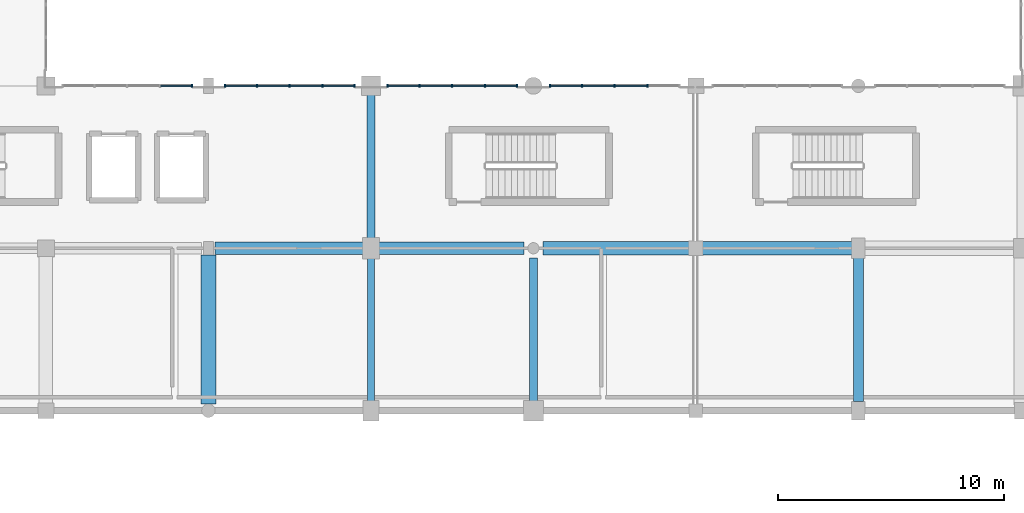
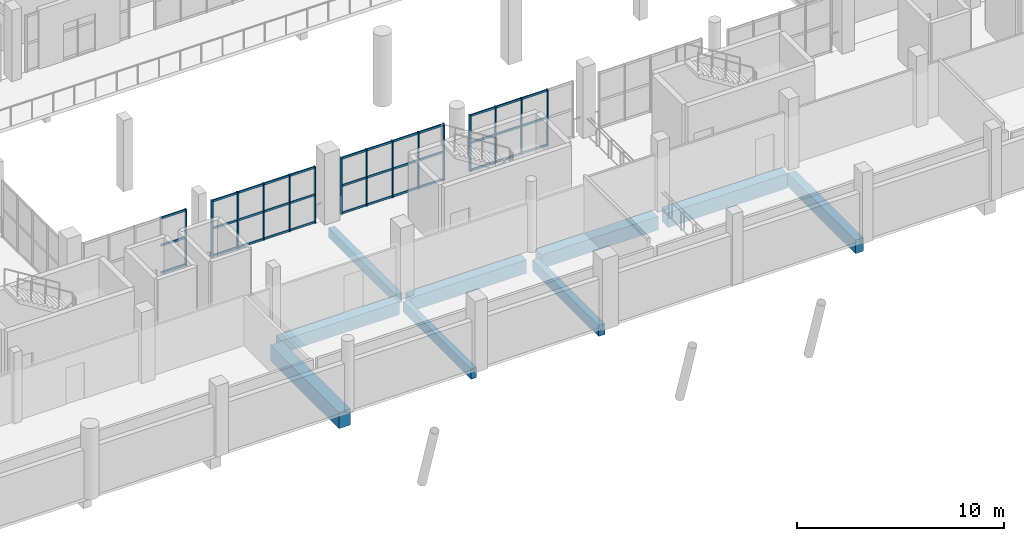
# One storey, part 24 of 92: 51 members, 9 beams, 4 elements without a shape of their own.
"""IFC4 building model written with IfcOpenShell, lengths in metres."""

from ifc_helpers import new_model, si_unit, direction, frame, origin, origin_2d, place, context, subcontext, project, spatial, rectangle, extrude, material, material_profile, profile_set, type_object, element, aggregate, save


model = new_model("IFC4")

# Units and contexts
model_context = context("Model", 3, precision=1e-05, world=origin(), true_north=direction((0.0, 1.0)))
body_context = subcontext(model_context, "Body", "Model", "MODEL_VIEW")
ifc_project = project(units=[si_unit("LENGTHUNIT", "METRE"), si_unit("AREAUNIT", "SQUARE_METRE"), si_unit("VOLUMEUNIT", "CUBIC_METRE"), si_unit("PLANEANGLEUNIT", "RADIAN"), si_unit("MASSUNIT", "GRAM", prefix="KILO")], contexts=[model_context])

# Site, building, storey
site_placement = place(None, origin())
site = spatial("IfcSite", under=ifc_project, at=site_placement, CompositionType="ELEMENT")
building_placement = place(site_placement, origin())
building = spatial("IfcBuilding", under=site, at=building_placement, Name="Solanera Park Tramway Depot", CompositionType="ELEMENT")
storey_placement = place(building_placement, frame((0.0, 0.0, 4.800048828125)))
storey = spatial("IfcBuildingStorey", under=building, at=storey_placement, Name="L01", CompositionType="ELEMENT", Elevation=4.800048828125)

# Curtain wall, member
ifc_material_1 = material(Name="Bronze-anodised thermally broken aluminium curtain wall", Category="aluminium")
curtain_wall_type = type_object("IfcCurtainWallType", Name="Courtyard Cloister Unitised Curtain Wall", PredefinedType="NOTDEFINED", material=ifc_material_1)
curtain_wall_1_placement = place(storey_placement, origin())
curtain_wall_1 = element("IfcCurtainWall", 1, at=curtain_wall_1_placement, inside=storey, type_object=curtain_wall_type, Name="L01 Courtyard Cloister Unitised Curtain Wall #088", PredefinedType="NOTDEFINED")
ifc_material_2 = material(Name="Bronze-anodised structural aluminium 6063-T6", Category="aluminium")
ifc_material_profile_1 = material_profile(ifc_material_2, rectangle(XDim=0.06494140625, YDim=0.14990234375, at=origin_2d()), Name="Curtain Wall Mullion 65x150")
ifc_profile_set_1 = profile_set([ifc_material_profile_1], Name="Bronze-anodised structural aluminium 6063-T6")
member_type_1 = type_object("IfcMemberType", Name="Curtain Wall Mullion 65x150", PredefinedType="MULLION", material=ifc_profile_set_1)
member_1_placement = place(storey_placement, frame((128.867431640625, 25.199951171875, 0.0), z_axis=(0.0, 0.0, 1.0), x_axis=(1.0, 0.0, 0.0)))
member_1 = element("IfcMember", 2, at=member_1_placement, type_object=member_type_1, Name="CW-L01-088 Mullion 5", PredefinedType="MULLION", context=body_context, shape_type="SweptSolid", body=[
    extrude(rectangle(XDim=0.06494140625, YDim=0.14990234375, at=origin_2d()), origin(), (0.0, 0.0, 1.0), 3.349853515625),
])

# Curtain wall, members
curtain_wall_2_placement = place(storey_placement, origin())
curtain_wall_2 = element("IfcCurtainWall", 3, at=curtain_wall_2_placement, inside=storey, type_object=curtain_wall_type, Name="L01 Courtyard Cloister Unitised Curtain Wall #089", PredefinedType="NOTDEFINED")
member_2_placement = place(storey_placement, frame((130.33251953125, 25.199951171875, 0.0), z_axis=(0.0, 0.0, 1.0), x_axis=(1.0, 0.0, 0.0)))
member_2 = element("IfcMember", 4, at=member_2_placement, type_object=member_type_1, Name="CW-L01-089 Mullion 1", PredefinedType="MULLION", context=body_context, shape_type="SweptSolid", body=[
    extrude(rectangle(XDim=0.06494140625, YDim=0.14990234375, at=origin_2d()), origin(), (0.0, 0.0, 1.0), 3.349853515625),
])
member_3_placement = place(storey_placement, frame((131.75, 25.199951171875, 0.0), z_axis=(0.0, 0.0, 1.0), x_axis=(1.0, 0.0, 0.0)))
member_3 = element("IfcMember", 5, at=member_3_placement, type_object=member_type_1, Name="CW-L01-089 Mullion 2", PredefinedType="MULLION", context=body_context, shape_type="SweptSolid", body=[
    extrude(rectangle(XDim=0.06494140625, YDim=0.14990234375, at=origin_2d()), origin(), (0.0, 0.0, 1.0), 3.349853515625),
])
member_4_placement = place(storey_placement, frame((133.199951171875, 25.199951171875, 0.0), z_axis=(0.0, 0.0, 1.0), x_axis=(1.0, 0.0, 0.0)))
member_4 = element("IfcMember", 6, at=member_4_placement, type_object=member_type_1, Name="CW-L01-089 Mullion 3", PredefinedType="MULLION", context=body_context, shape_type="SweptSolid", body=[
    extrude(rectangle(XDim=0.06494140625, YDim=0.14990234375, at=origin_2d()), origin(), (0.0, 0.0, 1.0), 3.349853515625),
])
member_5_placement = place(storey_placement, frame((134.64990234375, 25.199951171875, 0.0), z_axis=(0.0, 0.0, 1.0), x_axis=(1.0, 0.0, 0.0)))
member_5 = element("IfcMember", 7, at=member_5_placement, type_object=member_type_1, Name="CW-L01-089 Mullion 4", PredefinedType="MULLION", context=body_context, shape_type="SweptSolid", body=[
    extrude(rectangle(XDim=0.06494140625, YDim=0.14990234375, at=origin_2d()), origin(), (0.0, 0.0, 1.0), 3.349853515625),
])
member_6_placement = place(storey_placement, frame((136.0673828125, 25.199951171875, 0.0), z_axis=(0.0, 0.0, 1.0), x_axis=(1.0, 0.0, 0.0)))
member_6 = element("IfcMember", 8, at=member_6_placement, type_object=member_type_1, Name="CW-L01-089 Mullion 5", PredefinedType="MULLION", context=body_context, shape_type="SweptSolid", body=[
    extrude(rectangle(XDim=0.06494140625, YDim=0.14990234375, at=origin_2d()), origin(), (0.0, 0.0, 1.0), 3.349853515625),
])

curtain_wall_3_placement = place(storey_placement, origin())
curtain_wall_3 = element("IfcCurtainWall", 9, at=curtain_wall_3_placement, inside=storey, type_object=curtain_wall_type, Name="L01 Courtyard Cloister Unitised Curtain Wall #090", PredefinedType="NOTDEFINED")
member_7_placement = place(storey_placement, frame((137.532470703125, 25.199951171875, 0.0), z_axis=(0.0, 0.0, 1.0), x_axis=(1.0, 0.0, 0.0)))
member_7 = element("IfcMember", 10, at=member_7_placement, type_object=member_type_1, Name="CW-L01-090 Mullion 1", PredefinedType="MULLION", context=body_context, shape_type="SweptSolid", body=[
    extrude(rectangle(XDim=0.06494140625, YDim=0.14990234375, at=origin_2d()), origin(), (0.0, 0.0, 1.0), 3.349853515625),
])
member_8_placement = place(storey_placement, frame((138.949951171875, 25.199951171875, 0.0), z_axis=(0.0, 0.0, 1.0), x_axis=(1.0, 0.0, 0.0)))
member_8 = element("IfcMember", 11, at=member_8_placement, type_object=member_type_1, Name="CW-L01-090 Mullion 2", PredefinedType="MULLION", context=body_context, shape_type="SweptSolid", body=[
    extrude(rectangle(XDim=0.06494140625, YDim=0.14990234375, at=origin_2d()), origin(), (0.0, 0.0, 1.0), 3.349853515625),
])
member_9_placement = place(storey_placement, frame((140.39990234375, 25.199951171875, 0.0), z_axis=(0.0, 0.0, 1.0), x_axis=(1.0, 0.0, 0.0)))
member_9 = element("IfcMember", 12, at=member_9_placement, type_object=member_type_1, Name="CW-L01-090 Mullion 3", PredefinedType="MULLION", context=body_context, shape_type="SweptSolid", body=[
    extrude(rectangle(XDim=0.06494140625, YDim=0.14990234375, at=origin_2d()), origin(), (0.0, 0.0, 1.0), 3.349853515625),
])
member_10_placement = place(storey_placement, frame((141.85009765625, 25.199951171875, 0.0), z_axis=(0.0, 0.0, 1.0), x_axis=(1.0, 0.0, 0.0)))
member_10 = element("IfcMember", 13, at=member_10_placement, type_object=member_type_1, Name="CW-L01-090 Mullion 4", PredefinedType="MULLION", context=body_context, shape_type="SweptSolid", body=[
    extrude(rectangle(XDim=0.06494140625, YDim=0.14990234375, at=origin_2d()), origin(), (0.0, 0.0, 1.0), 3.349853515625),
])
member_11_placement = place(storey_placement, frame((143.267578125, 25.199951171875, 0.0), z_axis=(0.0, 0.0, 1.0), x_axis=(1.0, 0.0, 0.0)))
member_11 = element("IfcMember", 14, at=member_11_placement, type_object=member_type_1, Name="CW-L01-090 Mullion 5", PredefinedType="MULLION", context=body_context, shape_type="SweptSolid", body=[
    extrude(rectangle(XDim=0.06494140625, YDim=0.14990234375, at=origin_2d()), origin(), (0.0, 0.0, 1.0), 3.349853515625),
])

curtain_wall_4_placement = place(storey_placement, origin())
curtain_wall_4 = element("IfcCurtainWall", 15, at=curtain_wall_4_placement, inside=storey, type_object=curtain_wall_type, Name="L01 Courtyard Cloister Unitised Curtain Wall #091", PredefinedType="NOTDEFINED")
member_12_placement = place(storey_placement, frame((144.732421875, 25.199951171875, 0.0), z_axis=(0.0, 0.0, 1.0), x_axis=(1.0, 0.0, 0.0)))
member_12 = element("IfcMember", 16, at=member_12_placement, type_object=member_type_1, Name="CW-L01-091 Mullion 1", PredefinedType="MULLION", context=body_context, shape_type="SweptSolid", body=[
    extrude(rectangle(XDim=0.06494140625, YDim=0.14990234375, at=origin_2d()), origin(), (0.0, 0.0, 1.0), 3.349853515625),
])
member_13_placement = place(storey_placement, frame((146.14990234375, 25.199951171875, 0.0), z_axis=(0.0, 0.0, 1.0), x_axis=(1.0, 0.0, 0.0)))
member_13 = element("IfcMember", 17, at=member_13_placement, type_object=member_type_1, Name="CW-L01-091 Mullion 2", PredefinedType="MULLION", context=body_context, shape_type="SweptSolid", body=[
    extrude(rectangle(XDim=0.06494140625, YDim=0.14990234375, at=origin_2d()), origin(), (0.0, 0.0, 1.0), 3.349853515625),
])
member_14_placement = place(storey_placement, frame((147.60009765625, 25.199951171875, 0.0), z_axis=(0.0, 0.0, 1.0), x_axis=(1.0, 0.0, 0.0)))
member_14 = element("IfcMember", 18, at=member_14_placement, type_object=member_type_1, Name="CW-L01-091 Mullion 3", PredefinedType="MULLION", context=body_context, shape_type="SweptSolid", body=[
    extrude(rectangle(XDim=0.06494140625, YDim=0.14990234375, at=origin_2d()), origin(), (0.0, 0.0, 1.0), 3.349853515625),
])
member_15_placement = place(storey_placement, frame((149.050048828125, 25.199951171875, 0.0), z_axis=(0.0, 0.0, 1.0), x_axis=(1.0, 0.0, 0.0)))
member_15 = element("IfcMember", 19, at=member_15_placement, type_object=member_type_1, Name="CW-L01-091 Mullion 4", PredefinedType="MULLION", context=body_context, shape_type="SweptSolid", body=[
    extrude(rectangle(XDim=0.06494140625, YDim=0.14990234375, at=origin_2d()), origin(), (0.0, 0.0, 1.0), 3.349853515625),
])

# Member
ifc_material_3 = material(Name="Bronze-anodised structural aluminium 6063-T6", Category="aluminium")
ifc_material_profile_2 = material_profile(ifc_material_3, rectangle(XDim=0.06494140625, YDim=0.1201171875, at=origin_2d()), Name="Curtain Wall Transom 65x120")
ifc_profile_set_2 = profile_set([ifc_material_profile_2], Name="Bronze-anodised structural aluminium 6063-T6")
member_type_2 = type_object("IfcMemberType", Name="Curtain Wall Transom 65x120", PredefinedType="USERDEFINED", material=ifc_profile_set_2)
member_16_placement = place(storey_placement, frame((127.47802734375, 25.199951171875, 0.06005859375), z_axis=(1.0, 0.0, 0.0), x_axis=(0.0, 1.0, 0.0)))
member_16 = element("IfcMember", 20, at=member_16_placement, type_object=member_type_2, Name="CW-L01-088 Transom R1.C4", ObjectType="TRANSOM", PredefinedType="USERDEFINED", context=body_context, shape_type="SweptSolid", body=[
    extrude(rectangle(XDim=0.06494140625, YDim=0.1201171875, at=origin_2d()), origin(), (0.0, 0.0, 1.0), 1.361572265625),
])

member_17_placement = place(storey_placement, frame((127.47802734375, 25.199951171875, 1.675048828125), z_axis=(1.0, 0.0, 0.0), x_axis=(0.0, 1.0, 0.0)))
member_17 = element("IfcMember", 21, at=member_17_placement, type_object=member_type_2, Name="CW-L01-088 Transom R2.C4", ObjectType="TRANSOM", PredefinedType="USERDEFINED", context=body_context, shape_type="SweptSolid", body=[
    extrude(rectangle(XDim=0.06494140625, YDim=0.1201171875, at=origin_2d()), origin(), (0.0, 0.0, 1.0), 1.361572265625),
])

member_18_placement = place(storey_placement, frame((127.47802734375, 25.199951171875, 3.2900390625), z_axis=(1.0, 0.0, 0.0), x_axis=(0.0, 1.0, 0.0)))
member_18 = element("IfcMember", 22, at=member_18_placement, type_object=member_type_2, Name="CW-L01-088 Transom R3.C4", ObjectType="TRANSOM", PredefinedType="USERDEFINED", context=body_context, shape_type="SweptSolid", body=[
    extrude(rectangle(XDim=0.06494140625, YDim=0.1201171875, at=origin_2d()), origin(), (0.0, 0.0, 1.0), 1.361572265625),
])

aggregate(curtain_wall_1, [member_1, member_16, member_17, member_18])

member_19_placement = place(storey_placement, frame((130.360595703125, 25.199951171875, 0.06005859375), z_axis=(1.0, 0.0, 0.0), x_axis=(0.0, 1.0, 0.0)))
member_19 = element("IfcMember", 23, at=member_19_placement, type_object=member_type_2, Name="CW-L01-089 Transom R1.C1", ObjectType="TRANSOM", PredefinedType="USERDEFINED", context=body_context, shape_type="SweptSolid", body=[
    extrude(rectangle(XDim=0.06494140625, YDim=0.1201171875, at=origin_2d()), origin(), (0.0, 0.0, 1.0), 1.361328125),
])

member_20_placement = place(storey_placement, frame((131.778076171875, 25.199951171875, 0.06005859375), z_axis=(1.0, 0.0, 0.0), x_axis=(0.0, 1.0, 0.0)))
member_20 = element("IfcMember", 24, at=member_20_placement, type_object=member_type_2, Name="CW-L01-089 Transom R1.C2", ObjectType="TRANSOM", PredefinedType="USERDEFINED", context=body_context, shape_type="SweptSolid", body=[
    extrude(rectangle(XDim=0.06494140625, YDim=0.1201171875, at=origin_2d()), origin(), (0.0, 0.0, 1.0), 1.39404296875),
])

member_21_placement = place(storey_placement, frame((133.22802734375, 25.199951171875, 0.06005859375), z_axis=(1.0, 0.0, 0.0), x_axis=(0.0, 1.0, 0.0)))
member_21 = element("IfcMember", 25, at=member_21_placement, type_object=member_type_2, Name="CW-L01-089 Transom R1.C3", ObjectType="TRANSOM", PredefinedType="USERDEFINED", context=body_context, shape_type="SweptSolid", body=[
    extrude(rectangle(XDim=0.06494140625, YDim=0.1201171875, at=origin_2d()), origin(), (0.0, 0.0, 1.0), 1.39404296875),
])

member_22_placement = place(storey_placement, frame((134.677978515625, 25.199951171875, 0.06005859375), z_axis=(1.0, 0.0, 0.0), x_axis=(0.0, 1.0, 0.0)))
member_22 = element("IfcMember", 26, at=member_22_placement, type_object=member_type_2, Name="CW-L01-089 Transom R1.C4", ObjectType="TRANSOM", PredefinedType="USERDEFINED", context=body_context, shape_type="SweptSolid", body=[
    extrude(rectangle(XDim=0.06494140625, YDim=0.1201171875, at=origin_2d()), origin(), (0.0, 0.0, 1.0), 1.361572265625),
])

member_23_placement = place(storey_placement, frame((130.360595703125, 25.199951171875, 1.675048828125), z_axis=(1.0, 0.0, 0.0), x_axis=(0.0, 1.0, 0.0)))
member_23 = element("IfcMember", 27, at=member_23_placement, type_object=member_type_2, Name="CW-L01-089 Transom R2.C1", ObjectType="TRANSOM", PredefinedType="USERDEFINED", context=body_context, shape_type="SweptSolid", body=[
    extrude(rectangle(XDim=0.06494140625, YDim=0.1201171875, at=origin_2d()), origin(), (0.0, 0.0, 1.0), 1.361328125),
])

member_24_placement = place(storey_placement, frame((131.778076171875, 25.199951171875, 1.675048828125), z_axis=(1.0, 0.0, 0.0), x_axis=(0.0, 1.0, 0.0)))
member_24 = element("IfcMember", 28, at=member_24_placement, type_object=member_type_2, Name="CW-L01-089 Transom R2.C2", ObjectType="TRANSOM", PredefinedType="USERDEFINED", context=body_context, shape_type="SweptSolid", body=[
    extrude(rectangle(XDim=0.06494140625, YDim=0.1201171875, at=origin_2d()), origin(), (0.0, 0.0, 1.0), 1.39404296875),
])

member_25_placement = place(storey_placement, frame((133.22802734375, 25.199951171875, 1.675048828125), z_axis=(1.0, 0.0, 0.0), x_axis=(0.0, 1.0, 0.0)))
member_25 = element("IfcMember", 29, at=member_25_placement, type_object=member_type_2, Name="CW-L01-089 Transom R2.C3", ObjectType="TRANSOM", PredefinedType="USERDEFINED", context=body_context, shape_type="SweptSolid", body=[
    extrude(rectangle(XDim=0.06494140625, YDim=0.1201171875, at=origin_2d()), origin(), (0.0, 0.0, 1.0), 1.39404296875),
])

member_26_placement = place(storey_placement, frame((134.677978515625, 25.199951171875, 1.675048828125), z_axis=(1.0, 0.0, 0.0), x_axis=(0.0, 1.0, 0.0)))
member_26 = element("IfcMember", 30, at=member_26_placement, type_object=member_type_2, Name="CW-L01-089 Transom R2.C4", ObjectType="TRANSOM", PredefinedType="USERDEFINED", context=body_context, shape_type="SweptSolid", body=[
    extrude(rectangle(XDim=0.06494140625, YDim=0.1201171875, at=origin_2d()), origin(), (0.0, 0.0, 1.0), 1.361572265625),
])

member_27_placement = place(storey_placement, frame((130.360595703125, 25.199951171875, 3.2900390625), z_axis=(1.0, 0.0, 0.0), x_axis=(0.0, 1.0, 0.0)))
member_27 = element("IfcMember", 31, at=member_27_placement, type_object=member_type_2, Name="CW-L01-089 Transom R3.C1", ObjectType="TRANSOM", PredefinedType="USERDEFINED", context=body_context, shape_type="SweptSolid", body=[
    extrude(rectangle(XDim=0.06494140625, YDim=0.1201171875, at=origin_2d()), origin(), (0.0, 0.0, 1.0), 1.361328125),
])

member_28_placement = place(storey_placement, frame((131.778076171875, 25.199951171875, 3.2900390625), z_axis=(1.0, 0.0, 0.0), x_axis=(0.0, 1.0, 0.0)))
member_28 = element("IfcMember", 32, at=member_28_placement, type_object=member_type_2, Name="CW-L01-089 Transom R3.C2", ObjectType="TRANSOM", PredefinedType="USERDEFINED", context=body_context, shape_type="SweptSolid", body=[
    extrude(rectangle(XDim=0.06494140625, YDim=0.1201171875, at=origin_2d()), origin(), (0.0, 0.0, 1.0), 1.39404296875),
])

member_29_placement = place(storey_placement, frame((133.22802734375, 25.199951171875, 3.2900390625), z_axis=(1.0, 0.0, 0.0), x_axis=(0.0, 1.0, 0.0)))
member_29 = element("IfcMember", 33, at=member_29_placement, type_object=member_type_2, Name="CW-L01-089 Transom R3.C3", ObjectType="TRANSOM", PredefinedType="USERDEFINED", context=body_context, shape_type="SweptSolid", body=[
    extrude(rectangle(XDim=0.06494140625, YDim=0.1201171875, at=origin_2d()), origin(), (0.0, 0.0, 1.0), 1.39404296875),
])

member_30_placement = place(storey_placement, frame((134.677978515625, 25.199951171875, 3.2900390625), z_axis=(1.0, 0.0, 0.0), x_axis=(0.0, 1.0, 0.0)))
member_30 = element("IfcMember", 34, at=member_30_placement, type_object=member_type_2, Name="CW-L01-089 Transom R3.C4", ObjectType="TRANSOM", PredefinedType="USERDEFINED", context=body_context, shape_type="SweptSolid", body=[
    extrude(rectangle(XDim=0.06494140625, YDim=0.1201171875, at=origin_2d()), origin(), (0.0, 0.0, 1.0), 1.361572265625),
])

aggregate(curtain_wall_2, [member_2, member_3, member_4, member_5, member_6, member_19, member_20, member_21, member_22, member_23, member_24, member_25, member_26, member_27, member_28, member_29, member_30])

member_31_placement = place(storey_placement, frame((137.560546875, 25.199951171875, 0.06005859375), z_axis=(1.0, 0.0, 0.0), x_axis=(0.0, 1.0, 0.0)))
member_31 = element("IfcMember", 35, at=member_31_placement, type_object=member_type_2, Name="CW-L01-090 Transom R1.C1", ObjectType="TRANSOM", PredefinedType="USERDEFINED", context=body_context, shape_type="SweptSolid", body=[
    extrude(rectangle(XDim=0.06494140625, YDim=0.1201171875, at=origin_2d()), origin(), (0.0, 0.0, 1.0), 1.361572265625),
])

member_32_placement = place(storey_placement, frame((138.97802734375, 25.199951171875, 0.06005859375), z_axis=(1.0, 0.0, 0.0), x_axis=(0.0, 1.0, 0.0)))
member_32 = element("IfcMember", 36, at=member_32_placement, type_object=member_type_2, Name="CW-L01-090 Transom R1.C2", ObjectType="TRANSOM", PredefinedType="USERDEFINED", context=body_context, shape_type="SweptSolid", body=[
    extrude(rectangle(XDim=0.06494140625, YDim=0.1201171875, at=origin_2d()), origin(), (0.0, 0.0, 1.0), 1.39404296875),
])

member_33_placement = place(storey_placement, frame((140.427978515625, 25.199951171875, 0.06005859375), z_axis=(1.0, 0.0, 0.0), x_axis=(0.0, 1.0, 0.0)))
member_33 = element("IfcMember", 37, at=member_33_placement, type_object=member_type_2, Name="CW-L01-090 Transom R1.C3", ObjectType="TRANSOM", PredefinedType="USERDEFINED", context=body_context, shape_type="SweptSolid", body=[
    extrude(rectangle(XDim=0.06494140625, YDim=0.1201171875, at=origin_2d()), origin(), (0.0, 0.0, 1.0), 1.39404296875),
])

member_34_placement = place(storey_placement, frame((141.8779296875, 25.199951171875, 0.06005859375), z_axis=(1.0, 0.0, 0.0), x_axis=(0.0, 1.0, 0.0)))
member_34 = element("IfcMember", 38, at=member_34_placement, type_object=member_type_2, Name="CW-L01-090 Transom R1.C4", ObjectType="TRANSOM", PredefinedType="USERDEFINED", context=body_context, shape_type="SweptSolid", body=[
    extrude(rectangle(XDim=0.06494140625, YDim=0.1201171875, at=origin_2d()), origin(), (0.0, 0.0, 1.0), 1.361572265625),
])

member_35_placement = place(storey_placement, frame((137.560546875, 25.199951171875, 1.675048828125), z_axis=(1.0, 0.0, 0.0), x_axis=(0.0, 1.0, 0.0)))
member_35 = element("IfcMember", 39, at=member_35_placement, type_object=member_type_2, Name="CW-L01-090 Transom R2.C1", ObjectType="TRANSOM", PredefinedType="USERDEFINED", context=body_context, shape_type="SweptSolid", body=[
    extrude(rectangle(XDim=0.06494140625, YDim=0.1201171875, at=origin_2d()), origin(), (0.0, 0.0, 1.0), 1.361572265625),
])

member_36_placement = place(storey_placement, frame((138.97802734375, 25.199951171875, 1.675048828125), z_axis=(1.0, 0.0, 0.0), x_axis=(0.0, 1.0, 0.0)))
member_36 = element("IfcMember", 40, at=member_36_placement, type_object=member_type_2, Name="CW-L01-090 Transom R2.C2", ObjectType="TRANSOM", PredefinedType="USERDEFINED", context=body_context, shape_type="SweptSolid", body=[
    extrude(rectangle(XDim=0.06494140625, YDim=0.1201171875, at=origin_2d()), origin(), (0.0, 0.0, 1.0), 1.39404296875),
])

member_37_placement = place(storey_placement, frame((140.427978515625, 25.199951171875, 1.675048828125), z_axis=(1.0, 0.0, 0.0), x_axis=(0.0, 1.0, 0.0)))
member_37 = element("IfcMember", 41, at=member_37_placement, type_object=member_type_2, Name="CW-L01-090 Transom R2.C3", ObjectType="TRANSOM", PredefinedType="USERDEFINED", context=body_context, shape_type="SweptSolid", body=[
    extrude(rectangle(XDim=0.06494140625, YDim=0.1201171875, at=origin_2d()), origin(), (0.0, 0.0, 1.0), 1.39404296875),
])

member_38_placement = place(storey_placement, frame((141.8779296875, 25.199951171875, 1.675048828125), z_axis=(1.0, 0.0, 0.0), x_axis=(0.0, 1.0, 0.0)))
member_38 = element("IfcMember", 42, at=member_38_placement, type_object=member_type_2, Name="CW-L01-090 Transom R2.C4", ObjectType="TRANSOM", PredefinedType="USERDEFINED", context=body_context, shape_type="SweptSolid", body=[
    extrude(rectangle(XDim=0.06494140625, YDim=0.1201171875, at=origin_2d()), origin(), (0.0, 0.0, 1.0), 1.361572265625),
])

member_39_placement = place(storey_placement, frame((137.560546875, 25.199951171875, 3.2900390625), z_axis=(1.0, 0.0, 0.0), x_axis=(0.0, 1.0, 0.0)))
member_39 = element("IfcMember", 43, at=member_39_placement, type_object=member_type_2, Name="CW-L01-090 Transom R3.C1", ObjectType="TRANSOM", PredefinedType="USERDEFINED", context=body_context, shape_type="SweptSolid", body=[
    extrude(rectangle(XDim=0.06494140625, YDim=0.1201171875, at=origin_2d()), origin(), (0.0, 0.0, 1.0), 1.361572265625),
])

member_40_placement = place(storey_placement, frame((138.97802734375, 25.199951171875, 3.2900390625), z_axis=(1.0, 0.0, 0.0), x_axis=(0.0, 1.0, 0.0)))
member_40 = element("IfcMember", 44, at=member_40_placement, type_object=member_type_2, Name="CW-L01-090 Transom R3.C2", ObjectType="TRANSOM", PredefinedType="USERDEFINED", context=body_context, shape_type="SweptSolid", body=[
    extrude(rectangle(XDim=0.06494140625, YDim=0.1201171875, at=origin_2d()), origin(), (0.0, 0.0, 1.0), 1.39404296875),
])

member_41_placement = place(storey_placement, frame((140.427978515625, 25.199951171875, 3.2900390625), z_axis=(1.0, 0.0, 0.0), x_axis=(0.0, 1.0, 0.0)))
member_41 = element("IfcMember", 45, at=member_41_placement, type_object=member_type_2, Name="CW-L01-090 Transom R3.C3", ObjectType="TRANSOM", PredefinedType="USERDEFINED", context=body_context, shape_type="SweptSolid", body=[
    extrude(rectangle(XDim=0.06494140625, YDim=0.1201171875, at=origin_2d()), origin(), (0.0, 0.0, 1.0), 1.39404296875),
])

member_42_placement = place(storey_placement, frame((141.8779296875, 25.199951171875, 3.2900390625), z_axis=(1.0, 0.0, 0.0), x_axis=(0.0, 1.0, 0.0)))
member_42 = element("IfcMember", 46, at=member_42_placement, type_object=member_type_2, Name="CW-L01-090 Transom R3.C4", ObjectType="TRANSOM", PredefinedType="USERDEFINED", context=body_context, shape_type="SweptSolid", body=[
    extrude(rectangle(XDim=0.06494140625, YDim=0.1201171875, at=origin_2d()), origin(), (0.0, 0.0, 1.0), 1.361572265625),
])

aggregate(curtain_wall_3, [member_7, member_8, member_9, member_10, member_11, member_31, member_32, member_33, member_34, member_35, member_36, member_37, member_38, member_39, member_40, member_41, member_42])

member_43_placement = place(storey_placement, frame((144.760498046875, 25.199951171875, 0.06005859375), z_axis=(1.0, 0.0, 0.0), x_axis=(0.0, 1.0, 0.0)))
member_43 = element("IfcMember", 47, at=member_43_placement, type_object=member_type_2, Name="CW-L01-091 Transom R1.C1", ObjectType="TRANSOM", PredefinedType="USERDEFINED", context=body_context, shape_type="SweptSolid", body=[
    extrude(rectangle(XDim=0.06494140625, YDim=0.1201171875, at=origin_2d()), origin(), (0.0, 0.0, 1.0), 1.361572265625),
])

member_44_placement = place(storey_placement, frame((146.177978515625, 25.199951171875, 0.06005859375), z_axis=(1.0, 0.0, 0.0), x_axis=(0.0, 1.0, 0.0)))
member_44 = element("IfcMember", 48, at=member_44_placement, type_object=member_type_2, Name="CW-L01-091 Transom R1.C2", ObjectType="TRANSOM", PredefinedType="USERDEFINED", context=body_context, shape_type="SweptSolid", body=[
    extrude(rectangle(XDim=0.06494140625, YDim=0.1201171875, at=origin_2d()), origin(), (0.0, 0.0, 1.0), 1.39404296875),
])

member_45_placement = place(storey_placement, frame((147.6279296875, 25.199951171875, 0.06005859375), z_axis=(1.0, 0.0, 0.0), x_axis=(0.0, 1.0, 0.0)))
member_45 = element("IfcMember", 49, at=member_45_placement, type_object=member_type_2, Name="CW-L01-091 Transom R1.C3", ObjectType="TRANSOM", PredefinedType="USERDEFINED", context=body_context, shape_type="SweptSolid", body=[
    extrude(rectangle(XDim=0.06494140625, YDim=0.1201171875, at=origin_2d()), origin(), (0.0, 0.0, 1.0), 1.39404296875),
])

member_46_placement = place(storey_placement, frame((144.760498046875, 25.199951171875, 1.675048828125), z_axis=(1.0, 0.0, 0.0), x_axis=(0.0, 1.0, 0.0)))
member_46 = element("IfcMember", 50, at=member_46_placement, type_object=member_type_2, Name="CW-L01-091 Transom R2.C1", ObjectType="TRANSOM", PredefinedType="USERDEFINED", context=body_context, shape_type="SweptSolid", body=[
    extrude(rectangle(XDim=0.06494140625, YDim=0.1201171875, at=origin_2d()), origin(), (0.0, 0.0, 1.0), 1.361572265625),
])

member_47_placement = place(storey_placement, frame((146.177978515625, 25.199951171875, 1.675048828125), z_axis=(1.0, 0.0, 0.0), x_axis=(0.0, 1.0, 0.0)))
member_47 = element("IfcMember", 51, at=member_47_placement, type_object=member_type_2, Name="CW-L01-091 Transom R2.C2", ObjectType="TRANSOM", PredefinedType="USERDEFINED", context=body_context, shape_type="SweptSolid", body=[
    extrude(rectangle(XDim=0.06494140625, YDim=0.1201171875, at=origin_2d()), origin(), (0.0, 0.0, 1.0), 1.39404296875),
])

member_48_placement = place(storey_placement, frame((147.6279296875, 25.199951171875, 1.675048828125), z_axis=(1.0, 0.0, 0.0), x_axis=(0.0, 1.0, 0.0)))
member_48 = element("IfcMember", 52, at=member_48_placement, type_object=member_type_2, Name="CW-L01-091 Transom R2.C3", ObjectType="TRANSOM", PredefinedType="USERDEFINED", context=body_context, shape_type="SweptSolid", body=[
    extrude(rectangle(XDim=0.06494140625, YDim=0.1201171875, at=origin_2d()), origin(), (0.0, 0.0, 1.0), 1.39404296875),
])

member_49_placement = place(storey_placement, frame((144.760498046875, 25.199951171875, 3.2900390625), z_axis=(1.0, 0.0, 0.0), x_axis=(0.0, 1.0, 0.0)))
member_49 = element("IfcMember", 53, at=member_49_placement, type_object=member_type_2, Name="CW-L01-091 Transom R3.C1", ObjectType="TRANSOM", PredefinedType="USERDEFINED", context=body_context, shape_type="SweptSolid", body=[
    extrude(rectangle(XDim=0.06494140625, YDim=0.1201171875, at=origin_2d()), origin(), (0.0, 0.0, 1.0), 1.361572265625),
])

member_50_placement = place(storey_placement, frame((146.177978515625, 25.199951171875, 3.2900390625), z_axis=(1.0, 0.0, 0.0), x_axis=(0.0, 1.0, 0.0)))
member_50 = element("IfcMember", 54, at=member_50_placement, type_object=member_type_2, Name="CW-L01-091 Transom R3.C2", ObjectType="TRANSOM", PredefinedType="USERDEFINED", context=body_context, shape_type="SweptSolid", body=[
    extrude(rectangle(XDim=0.06494140625, YDim=0.1201171875, at=origin_2d()), origin(), (0.0, 0.0, 1.0), 1.39404296875),
])

member_51_placement = place(storey_placement, frame((147.6279296875, 25.199951171875, 3.2900390625), z_axis=(1.0, 0.0, 0.0), x_axis=(0.0, 1.0, 0.0)))
member_51 = element("IfcMember", 55, at=member_51_placement, type_object=member_type_2, Name="CW-L01-091 Transom R3.C3", ObjectType="TRANSOM", PredefinedType="USERDEFINED", context=body_context, shape_type="SweptSolid", body=[
    extrude(rectangle(XDim=0.06494140625, YDim=0.1201171875, at=origin_2d()), origin(), (0.0, 0.0, 1.0), 1.39404296875),
])

aggregate(curtain_wall_4, [member_12, member_13, member_14, member_15, member_43, member_44, member_45, member_46, member_47, member_48, member_49, member_50, member_51])

# Beams
ifc_material_4 = material(Name="Concrete N40 (C40/50)", Category="concrete")
ifc_material_profile_3 = material_profile(ifc_material_4, rectangle(XDim=0.300048828125, YDim=0.60009765625, at=origin_2d()), Name="RCB 300x600")
ifc_profile_set_3 = profile_set([ifc_material_profile_3], Name="Concrete N40 (C40/50)")
beam_type_1 = type_object("IfcBeamType", Name="RC Floor Beam RCB 300x600", PredefinedType="BEAM", material=ifc_profile_set_3)
beam_1_placement = place(storey_placement, frame((136.800048828125, 11.074951171875, -0.5791015625), z_axis=(0.0, 1.0, 0.0), x_axis=(-1.0, 0.0, 0.0)))
element("IfcBeam", 56, at=beam_1_placement, inside=storey, type_object=beam_type_1, Name="L01 Primary Y-Girder RCB 300x600 #0058", PredefinedType="BEAM", context=body_context, shape_type="SweptSolid", body=[
    extrude(rectangle(XDim=0.300048828125, YDim=0.60009765625, at=origin_2d()), origin(), (0.0, 0.0, 1.0), 6.60009765625),
])
ifc_material_5 = material(Name="Concrete N40 (C40/50)", Category="concrete")
ifc_material_profile_4 = material_profile(ifc_material_5, rectangle(XDim=0.35009765625, YDim=0.550048828125, at=origin_2d()), Name="RCB 350x550")
ifc_profile_set_4 = profile_set([ifc_material_profile_4], Name="Concrete N40 (C40/50)")
beam_type_2 = type_object("IfcBeamType", Name="RC Floor Beam RCB 350x550", PredefinedType="BEAM", material=ifc_profile_set_4)
beam_2_placement = place(storey_placement, frame((136.800048828125, 18.324951171875, -0.553955078125), z_axis=(0.0, 1.0, 0.0), x_axis=(-1.0, 0.0, 0.0)))
element("IfcBeam", 57, at=beam_2_placement, inside=storey, type_object=beam_type_2, Name="L01 Primary Y-Girder RCB 350x550 #0059", PredefinedType="BEAM", context=body_context, shape_type="SweptSolid", body=[
    extrude(rectangle(XDim=0.35009765625, YDim=0.550048828125, at=origin_2d()), origin(), (0.0, 0.0, 1.0), 6.525146484375),
])
ifc_material_6 = material(Name="Concrete N40 (C40/50)", Category="concrete")
ifc_material_profile_5 = material_profile(ifc_material_6, rectangle(XDim=0.35009765625, YDim=0.64990234375, at=origin_2d()), Name="RCB 350x650")
ifc_profile_set_5 = profile_set([ifc_material_profile_5], Name="Concrete N40 (C40/50)")
beam_type_3 = type_object("IfcBeamType", Name="RC Floor Beam RCB 350x650", PredefinedType="BEAM", material=ifc_profile_set_5)
beam_3_placement = place(storey_placement, frame((144.0, 11.175048828125, -0.60400390625), z_axis=(0.0, 1.0, 0.0), x_axis=(-1.0, 0.0, 0.0)))
element("IfcBeam", 58, at=beam_3_placement, inside=storey, type_object=beam_type_3, Name="L01 Primary Y-Girder RCB 350x650 #0060", PredefinedType="BEAM", context=body_context, shape_type="SweptSolid", body=[
    extrude(rectangle(XDim=0.35009765625, YDim=0.64990234375, at=origin_2d()), origin(), (0.0, 0.0, 1.0), 6.39990234375),
])
ifc_material_7 = material(Name="Concrete N40 (C40/50)", Category="concrete")
ifc_material_profile_6 = material_profile(ifc_material_7, rectangle(XDim=0.449951171875, YDim=0.800048828125, at=origin_2d()), Name="RCB 450x800")
ifc_profile_set_6 = profile_set([ifc_material_profile_6], Name="Concrete N40 (C40/50)")
beam_type_4 = type_object("IfcBeamType", Name="RC Floor Beam RCB 450x800", PredefinedType="BEAM", material=ifc_profile_set_6)
beam_4_placement = place(storey_placement, frame((158.39990234375, 11.199951171875, -0.678955078125), z_axis=(0.0, 1.0, 0.0), x_axis=(-1.0, 0.0, 0.0)))
element("IfcBeam", 59, at=beam_4_placement, inside=storey, type_object=beam_type_4, Name="L01 Primary Y-Girder RCB 450x800 #0063", PredefinedType="BEAM", context=body_context, shape_type="SweptSolid", body=[
    extrude(rectangle(XDim=0.449951171875, YDim=0.800048828125, at=origin_2d()), origin(), (0.0, 0.0, 1.0), 6.550048828125),
])
ifc_material_8 = material(Name="Concrete N40 (C40/50)", Category="concrete")
ifc_material_profile_7 = material_profile(ifc_material_8, rectangle(XDim=0.550048828125, YDim=0.75, at=origin_2d()), Name="RCB 550x750")
ifc_profile_set_7 = profile_set([ifc_material_profile_7], Name="Concrete N40 (C40/50)")
beam_type_5 = type_object("IfcBeamType", Name="RC Floor Beam RCB 550x750", PredefinedType="BEAM", material=ifc_profile_set_7)
beam_5_placement = place(storey_placement, frame((129.89990234375, 18.0, -0.654052734375), z_axis=(1.0, 0.0, 0.0), x_axis=(0.0, 1.0, 0.0)))
element("IfcBeam", 60, at=beam_5_placement, inside=storey, type_object=beam_type_5, Name="L01 Primary X-Girder RCB 550x750 #0004", PredefinedType="BEAM", context=body_context, shape_type="SweptSolid", body=[
    extrude(rectangle(XDim=0.550048828125, YDim=0.75, at=origin_2d()), origin(), (0.0, 0.0, 1.0), 6.5751953125),
])
ifc_material_9 = material(Name="Concrete N40 (C40/50)", Category="concrete")
ifc_material_profile_8 = material_profile(ifc_material_9, rectangle(XDim=0.550048828125, YDim=0.800048828125, at=origin_2d()), Name="RCB 550x800")
ifc_profile_set_8 = profile_set([ifc_material_profile_8], Name="Concrete N40 (C40/50)")
beam_type_6 = type_object("IfcBeamType", Name="RC Floor Beam RCB 550x800", PredefinedType="BEAM", material=ifc_profile_set_8)
beam_6_placement = place(storey_placement, frame((137.125, 18.0, -0.678955078125), z_axis=(1.0, 0.0, 0.0), x_axis=(0.0, 1.0, 0.0)))
element("IfcBeam", 61, at=beam_6_placement, inside=storey, type_object=beam_type_6, Name="L01 Primary X-Girder RCB 550x800 #0005", PredefinedType="BEAM", context=body_context, shape_type="SweptSolid", body=[
    extrude(rectangle(XDim=0.550048828125, YDim=0.800048828125, at=origin_2d()), origin(), (0.0, 0.0, 1.0), 6.449951171875),
])
ifc_material_10 = material(Name="Concrete N40 (C40/50)", Category="concrete")
ifc_material_profile_9 = material_profile(ifc_material_10, rectangle(XDim=0.60009765625, YDim=0.800048828125, at=origin_2d()), Name="RCB 600x800")
ifc_profile_set_9 = profile_set([ifc_material_profile_9], Name="Concrete N40 (C40/50)")
beam_type_7 = type_object("IfcBeamType", Name="RC Floor Beam RCB 600x800", PredefinedType="BEAM", material=ifc_profile_set_9)
beam_7_placement = place(storey_placement, frame((144.425048828125, 18.0, -0.678955078125), z_axis=(1.0, 0.0, 0.0), x_axis=(0.0, 1.0, 0.0)))
element("IfcBeam", 62, at=beam_7_placement, inside=storey, type_object=beam_type_7, Name="L01 Primary X-Girder RCB 600x800 #0006", PredefinedType="BEAM", context=body_context, shape_type="SweptSolid", body=[
    extrude(rectangle(XDim=0.60009765625, YDim=0.800048828125, at=origin_2d()), origin(), (0.0, 0.0, 1.0), 6.5),
])
ifc_material_11 = material(Name="Concrete N40 (C40/50)", Category="concrete")
ifc_material_profile_10 = material_profile(ifc_material_11, rectangle(XDim=0.60009765625, YDim=0.85009765625, at=origin_2d()), Name="RCB 600x850")
ifc_profile_set_10 = profile_set([ifc_material_profile_10], Name="Concrete N40 (C40/50)")
beam_type_8 = type_object("IfcBeamType", Name="RC Floor Beam RCB 600x850", PredefinedType="BEAM", material=ifc_profile_set_10)
beam_8_placement = place(storey_placement, frame((151.47509765625, 18.0, -0.7041015625), z_axis=(1.0, 0.0, 0.0), x_axis=(0.0, 1.0, 0.0)))
element("IfcBeam", 63, at=beam_8_placement, inside=storey, type_object=beam_type_8, Name="L01 Primary X-Girder RCB 600x850 #0007", PredefinedType="BEAM", context=body_context, shape_type="SweptSolid", body=[
    extrude(rectangle(XDim=0.60009765625, YDim=0.85009765625, at=origin_2d()), origin(), (0.0, 0.0, 1.0), 6.6748046875),
])
ifc_material_12 = material(Name="Concrete N40 (C40/50)", Category="concrete")
ifc_material_profile_11 = material_profile(ifc_material_12, rectangle(XDim=0.64990234375, YDim=0.949951171875, at=origin_2d()), Name="RCB 650x950")
ifc_profile_set_11 = profile_set([ifc_material_profile_11], Name="Concrete N40 (C40/50)")
beam_type_9 = type_object("IfcBeamType", Name="RC Floor Beam RCB 650x950", PredefinedType="BEAM", material=ifc_profile_set_11)
beam_9_placement = place(storey_placement, frame((129.60009765625, 11.10009765625, -0.754150390625), z_axis=(0.0, 1.0, 0.0), x_axis=(-1.0, 0.0, 0.0)))
element("IfcBeam", 64, at=beam_9_placement, inside=storey, type_object=beam_type_9, Name="L01 Primary Y-Girder RCB 650x950 #0055", PredefinedType="BEAM", context=body_context, shape_type="SweptSolid", body=[
    extrude(rectangle(XDim=0.64990234375, YDim=0.949951171875, at=origin_2d()), origin(), (0.0, 0.0, 1.0), 6.599853515625),
])

save(model, "model.ifc")
